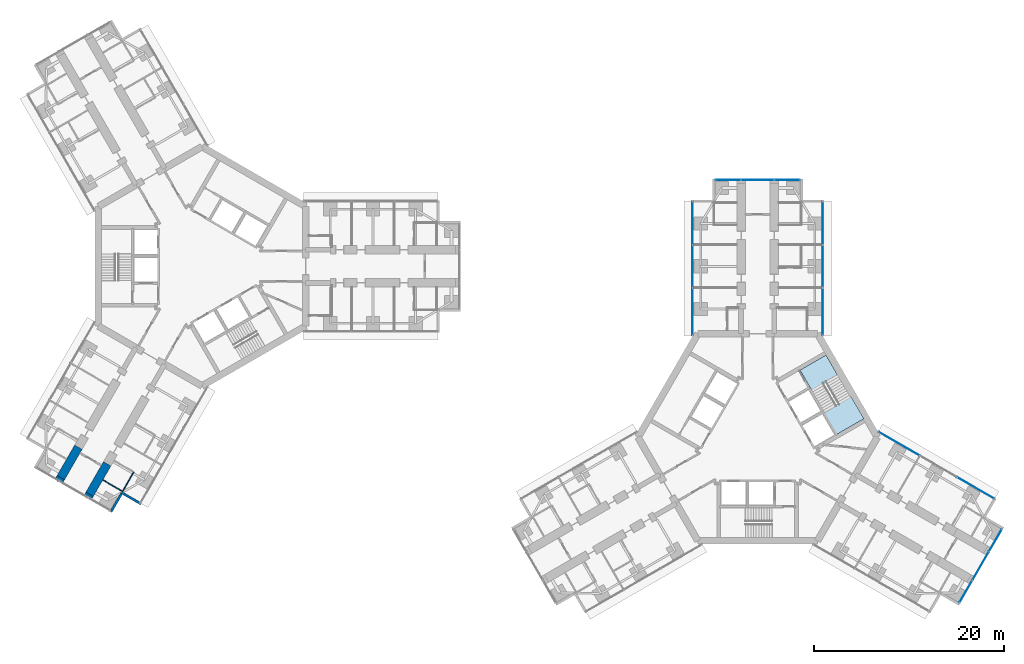
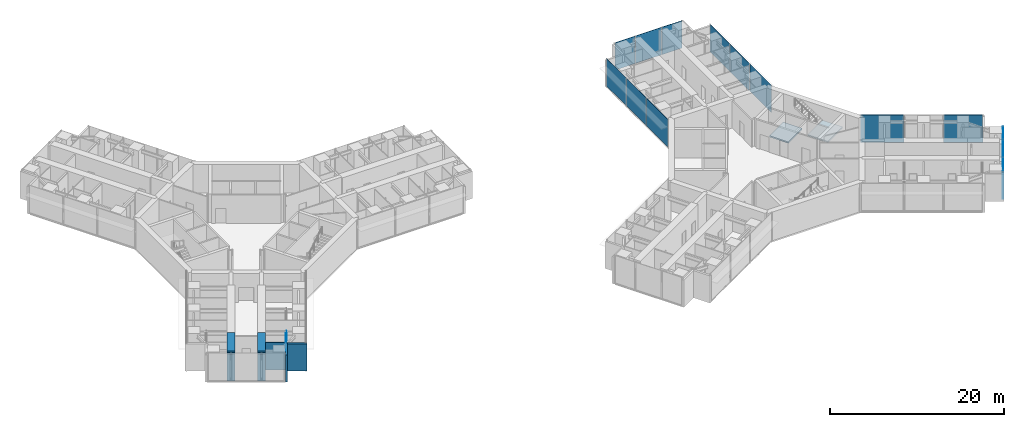
# One storey, part 15 of 25: 14 plates, 8 walls, 2 slabs, 6 elements without a shape of their own.
"""IFC4 building model written with IfcOpenShell, lengths in metres."""

from ifc_helpers import new_model, si_unit, direction, frame, frame_2d, origin, origin_2d, place, context, subcontext, project, spatial, polyline, rectangle, outline, extrude, material, layer, layer_set, type_object, element, aggregate, save


model = new_model("IFC4")

# Units and contexts
model_context = context("Model", 3, precision=1e-05, world=origin(), true_north=direction((0.0, 1.0)))
body_context = subcontext(model_context, "Body", "Model", "MODEL_VIEW")
ifc_project = project(units=[si_unit("LENGTHUNIT", "METRE"), si_unit("AREAUNIT", "SQUARE_METRE"), si_unit("VOLUMEUNIT", "CUBIC_METRE"), si_unit("PLANEANGLEUNIT", "RADIAN"), si_unit("MASSUNIT", "GRAM", prefix="KILO")], contexts=[model_context])

# Site, building, storey
site_placement = place(None, origin())
site = spatial("IfcSite", under=ifc_project, at=site_placement, CompositionType="ELEMENT")
building_placement = place(site_placement, origin())
building = spatial("IfcBuilding", under=site, at=building_placement, Name="Upepo Twin Towers", CompositionType="ELEMENT")
storey_placement = place(building_placement, frame((0.0, 0.0, 76.5)))
storey = spatial("IfcBuildingStorey", under=building, at=storey_placement, Name="L18", CompositionType="ELEMENT", Elevation=76.5)

# Curtain wall, plates
ifc_material_1 = material(Name="Aluminium and fritted glass", Category="aluminium")
curtain_wall_type = type_object("IfcCurtainWallType", Name="Tower curtain wall TW1, fritted glass", PredefinedType="NOTDEFINED", material=ifc_material_1)
curtain_wall_1_placement = place(storey_placement, origin())
curtain_wall_1 = element("IfcCurtainWall", 1, at=curtain_wall_1_placement, inside=storey, type_object=curtain_wall_type, Name="T2 L18 wing A flank L curtain wall", PredefinedType="NOTDEFINED")
ifc_material_2 = material(Name="Ceramic-fritted laminated glass", Category="glass")
ifc_layer_1 = layer(ifc_material_2, 0.031982421875)
ifc_layer_set_1 = layer_set([ifc_layer_1], Name="Fritted glass panel, 30 per cent dot frit, 32 mm double glazed")
plate_type_1 = type_object("IfcPlateType", Name="Fritted glass panel, 30 per cent dot frit, 32 mm double glazed", PredefinedType="CURTAIN_PANEL", material=ifc_layer_set_1)
plate_1_placement = place(storey_placement, frame((51.64990234375, -4.76513671875, 0.14990234375), z_axis=(0.0, 0.0, 1.0), x_axis=(0.0, 1.0, 0.0)))
plate_1 = element("IfcPlate", 2, at=plate_1_placement, type_object=plate_type_1, Name="T2 L18 wing A flank L curtain wall panel 1", PredefinedType="CURTAIN_PANEL", context=body_context, shape_type="SweptSolid", body=[
    extrude(rectangle(XDim=4.96533203125, YDim=0.031982421875, at=origin_2d()), origin(), (0.0, 0.0, 1.0), 3.85009765625),
])
plate_2_placement = place(storey_placement, frame((51.64990234375, 0.0, 0.14990234375), z_axis=(0.0, 0.0, 1.0), x_axis=(0.0, 1.0, 0.0)))
plate_2 = element("IfcPlate", 3, at=plate_2_placement, type_object=plate_type_1, Name="T2 L18 wing A flank L curtain wall panel 2", PredefinedType="CURTAIN_PANEL", context=body_context, shape_type="SweptSolid", body=[
    extrude(rectangle(XDim=4.43505859375, YDim=0.031982421875, at=origin_2d()), origin(), (0.0, 0.0, 1.0), 3.85009765625),
])
plate_3_placement = place(storey_placement, frame((51.64990234375, 4.53369140625, 0.14990234375), z_axis=(0.0, 0.0, 1.0), x_axis=(0.0, 1.0, 0.0)))
plate_3 = element("IfcPlate", 4, at=plate_3_placement, type_object=plate_type_1, Name="T2 L18 wing A flank L curtain wall panel 3", PredefinedType="CURTAIN_PANEL", context=body_context, shape_type="SweptSolid", body=[
    extrude(rectangle(XDim=4.50244140625, YDim=0.031982421875, at=origin_2d()), origin(), (0.0, 0.0, 1.0), 3.85009765625),
])
aggregate(curtain_wall_1, [plate_1, plate_2, plate_3])

curtain_wall_2_placement = place(storey_placement, origin())
curtain_wall_2 = element("IfcCurtainWall", 5, at=curtain_wall_2_placement, inside=storey, type_object=curtain_wall_type, Name="T2 L18 wing A flank R curtain wall", PredefinedType="NOTDEFINED")
plate_4_placement = place(storey_placement, frame((65.35009765625, 4.53369140625, 0.14990234375), z_axis=(0.0, 0.0, 1.0), x_axis=(0.0, -1.0, 0.0)))
plate_4 = element("IfcPlate", 6, at=plate_4_placement, type_object=plate_type_1, Name="T2 L18 wing A flank R curtain wall panel 1", PredefinedType="CURTAIN_PANEL", context=body_context, shape_type="SweptSolid", body=[
    extrude(rectangle(XDim=4.50244140625, YDim=0.031982421875, at=origin_2d()), origin(), (0.0, 0.0, 1.0), 3.85009765625),
])
plate_5_placement = place(storey_placement, frame((65.35009765625, 0.0, 0.14990234375), z_axis=(0.0, 0.0, 1.0), x_axis=(0.0, -1.0, 0.0)))
plate_5 = element("IfcPlate", 7, at=plate_5_placement, type_object=plate_type_1, Name="T2 L18 wing A flank R curtain wall panel 2", PredefinedType="CURTAIN_PANEL", context=body_context, shape_type="SweptSolid", body=[
    extrude(rectangle(XDim=4.43505859375, YDim=0.031982421875, at=origin_2d()), origin(), (0.0, 0.0, 1.0), 3.85009765625),
])
plate_6_placement = place(storey_placement, frame((65.35009765625, -4.76513671875, 0.14990234375), z_axis=(0.0, 0.0, 1.0), x_axis=(0.0, -1.0, 0.0)))
plate_6 = element("IfcPlate", 8, at=plate_6_placement, type_object=plate_type_1, Name="T2 L18 wing A flank R curtain wall panel 3", PredefinedType="CURTAIN_PANEL", context=body_context, shape_type="SweptSolid", body=[
    extrude(rectangle(XDim=4.96533203125, YDim=0.031982421875, at=origin_2d()), origin(), (0.0, 0.0, 1.0), 3.85009765625),
])
aggregate(curtain_wall_2, [plate_4, plate_5, plate_6])

# Curtain wall, plate
curtain_wall_3_placement = place(storey_placement, origin())
curtain_wall_3 = element("IfcCurtainWall", 9, at=curtain_wall_3_placement, inside=storey, type_object=curtain_wall_type, Name="T2 L18 wing A nose curtain wall", PredefinedType="NOTDEFINED")
plate_7_placement = place(storey_placement, frame((58.5, 9.10009765625, 0.14990234375), z_axis=(0.0, 0.0, 1.0), x_axis=(-1.0, 0.0, 0.0)))
plate_7 = element("IfcPlate", 10, at=plate_7_placement, type_object=plate_type_1, Name="T2 L18 wing A nose curtain wall panel 2", PredefinedType="CURTAIN_PANEL", context=body_context, shape_type="SweptSolid", body=[
    extrude(rectangle(XDim=3.43505859375, YDim=0.031982421875, at=origin_2d()), origin(), (0.0, 0.0, 1.0), 3.85009765625),
])

# Curtain wall, plates
curtain_wall_4_placement = place(storey_placement, origin())
curtain_wall_4 = element("IfcCurtainWall", 11, at=curtain_wall_4_placement, inside=storey, type_object=curtain_wall_type, Name="T2 L18 wing C flank L curtain wall", PredefinedType="NOTDEFINED")
plate_8_placement = place(storey_placement, frame((73.38671875, -18.68505859375, 0.14990234375), z_axis=(0.0, 0.0, 1.0), x_axis=(0.866025389682, -0.500000024426, 0.0)))
plate_8 = element("IfcPlate", 12, at=plate_8_placement, type_object=plate_type_1, Name="T2 L18 wing C flank L curtain wall panel 1", PredefinedType="CURTAIN_PANEL", context=body_context, shape_type="SweptSolid", body=[
    extrude(rectangle(XDim=4.96533203125, YDim=0.031982421875, at=origin_2d()), origin(), (0.0, 0.0, 1.0), 3.85009765625),
])
plate_9_placement = place(storey_placement, frame((81.439697265625, -23.334716796875, 0.14990234375), z_axis=(0.0, 0.0, 1.0), x_axis=(0.866025389682, -0.500000024426, 0.0)))
plate_9 = element("IfcPlate", 13, at=plate_9_placement, type_object=plate_type_1, Name="T2 L18 wing C flank L curtain wall panel 3", PredefinedType="CURTAIN_PANEL", context=body_context, shape_type="SweptSolid", body=[
    extrude(rectangle(XDim=4.50244140625, YDim=0.031982421875, at=origin_2d()), origin(), (0.0, 0.0, 1.0), 3.85009765625),
])
aggregate(curtain_wall_4, [plate_8, plate_9])

# Curtain wall, plate
curtain_wall_5_placement = place(storey_placement, origin())
curtain_wall_5 = element("IfcCurtainWall", 14, at=curtain_wall_5_placement, inside=storey, type_object=curtain_wall_type, Name="T2 L18 wing C nose curtain wall", PredefinedType="NOTDEFINED")
plate_10_placement = place(storey_placement, frame((81.96923828125, -31.550048828125, 0.14990234375), z_axis=(0.0, 0.0, 1.0), x_axis=(0.500000030502, 0.866025386174, 0.0)))
plate_10 = element("IfcPlate", 15, at=plate_10_placement, type_object=plate_type_1, Name="T2 L18 wing C nose curtain wall panel 2", PredefinedType="CURTAIN_PANEL", context=body_context, shape_type="SweptSolid", body=[
    extrude(rectangle(XDim=3.43505859375, YDim=0.031982421875, at=origin_2d()), origin(), (0.0, 0.0, 1.0), 3.85009765625),
])

# Plate
ifc_material_3 = material(Name="Clear laminated glass in opening sash", Category="glass")
ifc_layer_2 = layer(ifc_material_3, 0.031982421875)
ifc_layer_set_2 = layer_set([ifc_layer_2], Name="Operable glass panel, 32 mm double glazed")
plate_type_2 = type_object("IfcPlateType", Name="Operable glass panel, 32 mm double glazed", PredefinedType="CURTAIN_PANEL", material=ifc_layer_set_2)
plate_11_placement = place(storey_placement, frame((61.608642578125, 9.10009765625, 0.14990234375), z_axis=(0.0, 0.0, 1.0), x_axis=(-1.0, 0.0, 0.0)))
plate_11 = element("IfcPlate", 16, at=plate_11_placement, type_object=plate_type_2, Name="T2 L18 wing A nose curtain wall panel 1", PredefinedType="CURTAIN_PANEL", context=body_context, shape_type="SweptSolid", body=[
    extrude(rectangle(XDim=2.652587890625, YDim=0.031982421875, at=origin_2d()), origin(), (0.0, 0.0, 1.0), 3.85009765625),
])

plate_12_placement = place(storey_placement, frame((55.391357421875, 9.10009765625, 0.14990234375), z_axis=(0.0, 0.0, 1.0), x_axis=(-1.0, 0.0, 0.0)))
plate_12 = element("IfcPlate", 17, at=plate_12_placement, type_object=plate_type_2, Name="T2 L18 wing A nose curtain wall panel 3", PredefinedType="CURTAIN_PANEL", context=body_context, shape_type="SweptSolid", body=[
    extrude(rectangle(XDim=2.652587890625, YDim=0.031982421875, at=origin_2d()), origin(), (0.0, 0.0, 1.0), 3.85009765625),
])

aggregate(curtain_wall_3, [plate_11, plate_7, plate_12])

plate_13_placement = place(storey_placement, frame((80.414794921875, -34.2421875, 0.14990234375), z_axis=(0.0, 0.0, 1.0), x_axis=(0.500000030502, 0.866025386174, 0.0)))
plate_13 = element("IfcPlate", 18, at=plate_13_placement, type_object=plate_type_2, Name="T2 L18 wing C nose curtain wall panel 1", PredefinedType="CURTAIN_PANEL", context=body_context, shape_type="SweptSolid", body=[
    extrude(rectangle(XDim=2.652587890625, YDim=0.031982421875, at=origin_2d()), origin(), (0.0, 0.0, 1.0), 3.85009765625),
])

plate_14_placement = place(storey_placement, frame((83.523681640625, -28.857666015625, 0.14990234375), z_axis=(0.0, 0.0, 1.0), x_axis=(0.500000030502, 0.866025386174, 0.0)))
plate_14 = element("IfcPlate", 19, at=plate_14_placement, type_object=plate_type_2, Name="T2 L18 wing C nose curtain wall panel 3", PredefinedType="CURTAIN_PANEL", context=body_context, shape_type="SweptSolid", body=[
    extrude(rectangle(XDim=2.652587890625, YDim=0.031982421875, at=origin_2d()), origin(), (0.0, 0.0, 1.0), 3.85009765625),
])

aggregate(curtain_wall_5, [plate_13, plate_10, plate_14])

# Stair, slabs
ifc_material_4 = material(Name="Concrete C40/50", Category="concrete")
stair_type = type_object("IfcStairType", Name="Core stair, two flights", PredefinedType="HALF_TURN_STAIR", material=ifc_material_4)
stair_placement = place(storey_placement, origin())
stair = element("IfcStair", 20, at=stair_placement, inside=storey, type_object=stair_type, Name="T2 stair S2 L18", PredefinedType="HALF_TURN_STAIR")
ifc_material_5 = material(Name="Concrete C40/50", Category="concrete")
ifc_layer_3 = layer(ifc_material_5, 0.199951171875)
ifc_layer_set_3 = layer_set([ifc_layer_3], Name="Concrete C40/50")
slab_type = type_object("IfcSlabType", Name="Stair landing 200 RC", PredefinedType="LANDING", material=ifc_layer_set_3)
slab_1_placement = place(storey_placement, frame((0.0, 0.0, -0.199951171875)))
slab_1 = element("IfcSlab", 21, at=slab_1_placement, type_object=slab_type, Name="Stair S2 landing 1", PredefinedType="LANDING", context=body_context, shape_type="SweptSolid", body=[
    extrude(outline(polyline([(64.198486328125, -13.0703125), (66.933837890625, -11.490966796875), (65.69384765625, -9.34326171875), (62.95849609375, -10.922607421875), (64.198486328125, -13.0703125)])), origin(), (0.0, 0.0, 1.0), 0.199951171875),
])
slab_2_placement = place(storey_placement, frame((0.0, 0.0, 1.800048828125)))
slab_2 = element("IfcSlab", 22, at=slab_2_placement, type_object=slab_type, Name="Stair S2 landing 2", PredefinedType="LANDING", context=body_context, shape_type="SweptSolid", body=[
    extrude(outline(polyline([(66.77197265625, -17.7275390625), (69.680419921875, -16.04833984375), (68.3203125, -13.692626953125), (65.411865234375, -15.371826171875), (66.77197265625, -17.7275390625)])), origin(), (0.0, 0.0, 1.0), 0.199951171875),
])
aggregate(stair, [slab_1, slab_2])

# Walls
ifc_material_6 = material(Name="Dense concrete blockwork", Category="masonry")
ifc_layer_4 = layer(ifc_material_6, 0.89990234375)
ifc_layer_set_4 = layer_set([ifc_layer_4], Name="Buttress closer 900, blockwork with fire-stopping to the curtain wall")
wall_type_1 = type_object("IfcWallType", Name="Buttress closer 900, blockwork with fire-stopping to the curtain wall", PredefinedType="PARTITIONING", material=ifc_layer_set_4)
for number, where, z_axis, x_axis, name in (
    (23, (-11.83447265625, -23.997802734375, 0.0), (0.0, 0.0, 1.0), (-0.499949632511, -0.866054481515, 0.0), "T1 L18 wing C buttress closer L"),
    (24, (-14.865478515625, -22.247802734375, 0.0), (0.0, 0.0, 1.0), (-0.499949632511, -0.866054481515, 0.0), "T1 L18 wing C buttress closer R"),
):
    element("IfcWall", number, at=place(storey_placement, frame(where, z_axis=z_axis, x_axis=x_axis)), inside=storey, type_object=wall_type_1, Name=name, PredefinedType="PARTITIONING", context=body_context, shape_type="SweptSolid", body=[
        extrude(rectangle(XDim=0.31005859375, YDim=0.89990234375, at=frame_2d((0.155029296875, 0.0))), origin(), (0.0, 0.0, 1.0), 3.800048828125),
    ])
ifc_material_7 = material(Name="Concrete C60/75", Category="concrete")
ifc_layer_5 = layer(ifc_material_7, 0.89990234375)
ifc_layer_set_5 = layer_set([ifc_layer_5], Name="Concrete C60/75")
wall_type_2 = type_object("IfcWallType", Name="Buttress wall 900 RC", PredefinedType="SHEAR", material=ifc_layer_set_5)
wall_1_placement = place(storey_placement, frame((-9.984375, -20.793701171875, 0.0), z_axis=(0.0, 0.0, 1.0), x_axis=(-0.500042316284, -0.866000971088, 0.0)))
element("IfcWall", 25, at=wall_1_placement, inside=storey, type_object=wall_type_2, Name="T1 wing C buttress wall L part 3", PredefinedType="SHEAR", context=body_context, shape_type="SweptSolid", body=[
    extrude(rectangle(XDim=3.699951171875, YDim=0.89990234375, at=frame_2d((1.85009765625, 0.0))), origin(), (0.0, 0.0, 1.0), 4.0),
])
wall_2_placement = place(storey_placement, frame((-13.015625, -19.043701171875, 0.0), z_axis=(0.0, 0.0, 1.0), x_axis=(-0.499992827086, -0.866029545028, 0.0)))
element("IfcWall", 26, at=wall_2_placement, inside=storey, type_object=wall_type_2, Name="T1 wing C buttress wall R part 3", PredefinedType="SHEAR", context=body_context, shape_type="SweptSolid", body=[
    extrude(rectangle(XDim=3.69970703125, YDim=0.89990234375, at=frame_2d((1.849853515625, 0.0))), origin(), (0.0, 0.0, 1.0), 4.0),
])
ifc_material_8 = material(Name="Blockwork with anodised aluminium cladding", Category="masonry")
ifc_layer_6 = layer(ifc_material_8, 0.25)
ifc_layer_set_6 = layer_set([ifc_layer_6], Name="Notch cladding wall 250, pale metal")
wall_type_3 = type_object("IfcWallType", Name="Notch cladding wall 250, pale metal", PredefinedType="STANDARD", material=ifc_layer_set_6)
for number, where, z_axis, x_axis, name in (
    (27, (-6.418701171875, -25.017333984375, 0.0), (0.0, 0.0, 1.0), (-0.866043940782, 0.499967891604, 0.0), "T1 L18 wing C notch wall L1"),
    (28, (-8.43212890625, -23.85498046875, 0.0), (0.0, 0.0, 1.0), (-0.500046648681, -0.865998469481, 0.0), "T1 L18 wing C notch wall L2"),
):
    element("IfcWall", number, at=place(storey_placement, frame(where, z_axis=z_axis, x_axis=x_axis)), inside=storey, type_object=wall_type_3, Name=name, PredefinedType="STANDARD", context=body_context, shape_type="SweptSolid", body=[
        extrude(rectangle(XDim=2.324951171875, YDim=0.25, at=frame_2d((1.16259765625, 0.0))), origin(), (0.0, 0.0, 1.0), 3.800048828125),
    ])
ifc_material_9 = material(Name="Gypsum board on steel studs", Category="steel")
ifc_layer_7 = layer(ifc_material_9, 0.10009765625)
ifc_layer_set_7 = layer_set([ifc_layer_7], Name="Office partition 100 stud")
wall_type_4 = type_object("IfcWallType", Name="Office partition 100 stud", PredefinedType="PARTITIONING", material=ifc_layer_set_7)
wall_3_placement = place(storey_placement, frame((-7.191162109375, -21.65576171875, 0.0), z_axis=(0.0, 0.0, 1.0), x_axis=(-0.500077600433, -0.865980596518, 0.0)))
element("IfcWall", 29, at=wall_3_placement, inside=storey, type_object=wall_type_4, Name="T1 inner room partition CL at 22.35", PredefinedType="PARTITIONING", context=body_context, shape_type="SweptSolid", body=[
    extrude(rectangle(XDim=2.39990234375, YDim=0.10009765625, at=frame_2d((1.199951171875, 0.0))), origin(), (0.0, 0.0, 1.0), 3.800048828125),
])
wall_4_placement = place(storey_placement, frame((-10.44482421875, -22.49072265625, 0.0), z_axis=(0.0, 0.0, 1.0), x_axis=(0.866006032174, -0.500033551112, 0.0)))
element("IfcWall", 30, at=wall_4_placement, inside=storey, type_object=wall_type_4, Name="T1 inner room partition CL end at 24.75", PredefinedType="PARTITIONING", context=body_context, shape_type="SweptSolid", body=[
    extrude(rectangle(XDim=2.400146484375, YDim=0.10009765625, at=frame_2d((1.2001953125, 0.0))), origin(), (0.0, 0.0, 1.0), 3.800048828125),
])

save(model, "model.ifc")
